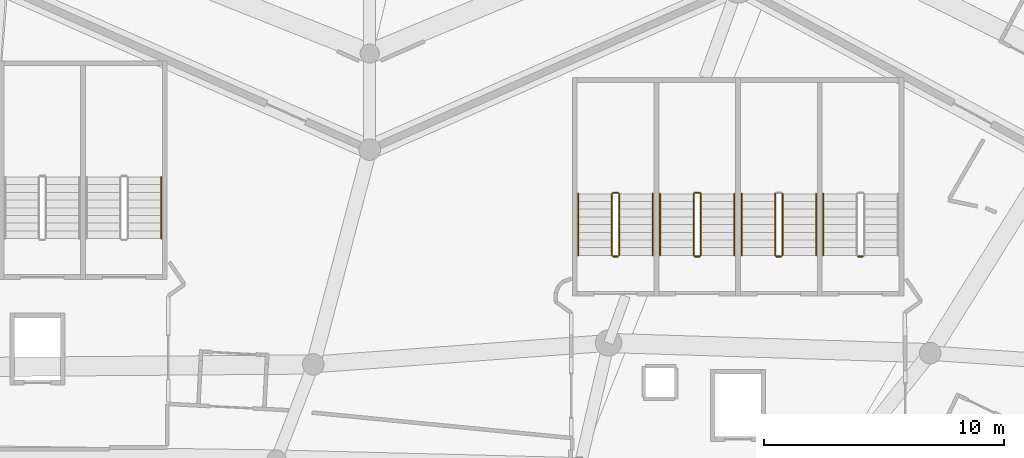
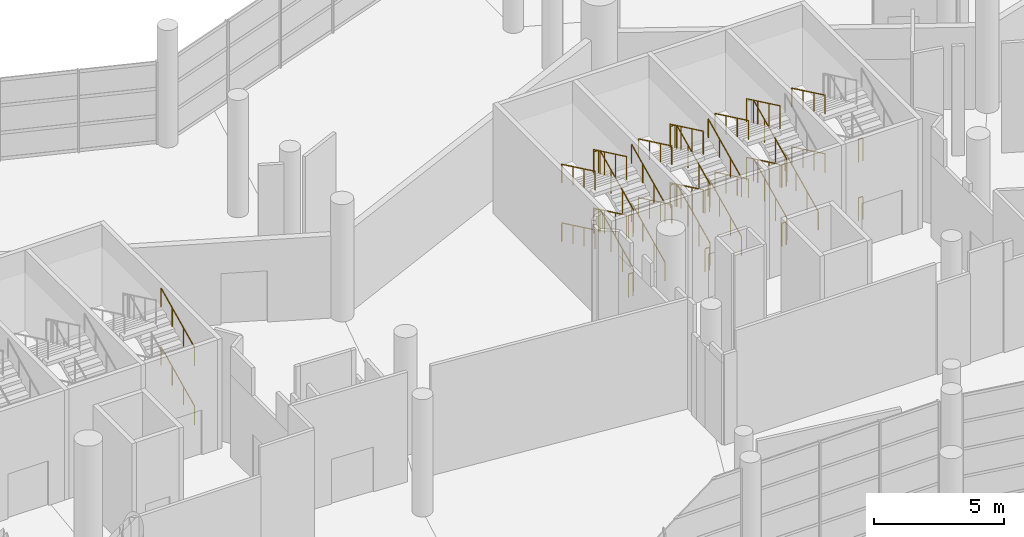
# One storey, part 266 of 271: 39 railings.
"""IFC4 building model written with IfcOpenShell, lengths in metres."""

from ifc_helpers import new_model, si_unit, direction, frame, origin, origin_2d, place, context, subcontext, project, spatial, circle, extrude, material, type_object, element, save


model = new_model("IFC4")

# Units and contexts
model_context = context("Model", 3, precision=1e-05, world=origin(), true_north=direction((0.0, 1.0)))
body_context = subcontext(model_context, "Body", "Model", "MODEL_VIEW")
ifc_project = project(units=[si_unit("LENGTHUNIT", "METRE"), si_unit("AREAUNIT", "SQUARE_METRE"), si_unit("VOLUMEUNIT", "CUBIC_METRE"), si_unit("PLANEANGLEUNIT", "RADIAN"), si_unit("MASSUNIT", "GRAM", prefix="KILO")], contexts=[model_context])

# Site, building, storey
site_placement = place(None, origin())
site = spatial("IfcSite", under=ifc_project, at=site_placement, CompositionType="ELEMENT")
building_placement = place(site_placement, origin())
building = spatial("IfcBuilding", under=site, at=building_placement, Name="Meseta Stadium", CompositionType="ELEMENT")
storey_placement = place(building_placement, frame((0.0, 0.0, 6.5)))
storey = spatial("IfcBuildingStorey", under=building, at=storey_placement, Name="L01", CompositionType="ELEMENT", Elevation=6.5)

# Railings
ifc_material_1 = material(Name="Steel S355", Category="steel")
railing_type_1 = type_object("IfcRailingType", Name="Stair guard 1100", PredefinedType="GUARDRAIL", material=ifc_material_1)
for number, where, name in (
    (1, (43.533447265625, 94.14990234375, 2.75), "ST33 L01 guard 4"),
    (2, (43.533447265625, 94.14990234375, 0.0), "ST33 L01 guard 8"),
):
    element("IfcRailing", number, at=place(storey_placement, frame(where)), inside=storey, type_object=railing_type_1, Name=name, PredefinedType="GUARDRAIL", context=body_context, shape_type="SweptSolid", body=[
        extrude(circle(Radius=0.02392578125, at=origin_2d()), frame((0.0, 0.0, 1.076171875), z_axis=(-1.0, 0.0, 0.0), x_axis=(0.0, -1.0, 0.0)), (0.0, 0.0, 1.0), 0.2001953125),
        extrude(circle(Radius=0.02099609375, at=origin_2d()), origin(), (0.0, 0.0, 1.0), 1.052001953125),
        extrude(circle(Radius=0.02099609375, at=origin_2d()), frame((-0.2001953125, 0.0, 0.0)), (0.0, 0.0, 1.0), 1.052001953125),
    ])
railing_1_placement = place(storey_placement, frame((40.183349609375, 94.199951171875, 0.15283203125)))
element("IfcRailing", 3, at=railing_1_placement, inside=storey, type_object=railing_type_1, Name="ST34 L01 guard 1", PredefinedType="GUARDRAIL", context=body_context, shape_type="SweptSolid", body=[
    extrude(circle(Radius=0.02392578125, at=origin_2d()), frame((0.0, 0.0, 1.076171875), z_axis=(0.0, 0.902436934422, 0.430821981091), x_axis=(-1.0, 0.0, 0.0)), (0.0, 0.0, 1.0), 2.8369140625),
    extrude(circle(Radius=0.02099609375, at=origin_2d()), origin(), (0.0, 0.0, 1.0), 1.052001953125),
    extrude(circle(Radius=0.02099609375, at=origin_2d()), frame((0.0, 0.853271484375, 0.407470703125)), (0.0, 0.0, 1.0), 1.052001953125),
    extrude(circle(Radius=0.02099609375, at=origin_2d()), frame((0.0, 1.706787109375, 0.814697265625)), (0.0, 0.0, 1.0), 1.052001953125),
    extrude(circle(Radius=0.02099609375, at=origin_2d()), frame((0.0, 2.56005859375, 1.22216796875)), (0.0, 0.0, 1.0), 1.052001953125),
])
railing_2_placement = place(storey_placement, frame((39.88330078125, 96.760009765625, 1.52783203125)))
element("IfcRailing", 4, at=railing_2_placement, inside=storey, type_object=railing_type_1, Name="ST34 L01 guard 3", PredefinedType="GUARDRAIL", context=body_context, shape_type="SweptSolid", body=[
    extrude(circle(Radius=0.02392578125, at=origin_2d()), frame((0.0, 0.0, 1.076171875), z_axis=(0.0, -0.902436934422, 0.430821981091), x_axis=(1.0, 0.0, 0.0)), (0.0, 0.0, 1.0), 2.8369140625),
    extrude(circle(Radius=0.02099609375, at=origin_2d()), origin(), (0.0, 0.0, 1.0), 1.052001953125),
    extrude(circle(Radius=0.02099609375, at=origin_2d()), frame((0.0, -0.853271484375, 0.407470703125)), (0.0, 0.0, 1.0), 1.052001953125),
    extrude(circle(Radius=0.02099609375, at=origin_2d()), frame((0.0, -1.706787109375, 0.814697265625)), (0.0, 0.0, 1.0), 1.052001953125),
    extrude(circle(Radius=0.02099609375, at=origin_2d()), frame((0.0, -2.56005859375, 1.22216796875)), (0.0, 0.0, 1.0), 1.052001953125),
])
railing_3_placement = place(storey_placement, frame((40.13330078125, 94.14990234375, 2.75)))
element("IfcRailing", 5, at=railing_3_placement, inside=storey, type_object=railing_type_1, Name="ST34 L01 guard 4", PredefinedType="GUARDRAIL", context=body_context, shape_type="SweptSolid", body=[
    extrude(circle(Radius=0.02392578125, at=origin_2d()), frame((0.0, 0.0, 1.076171875), z_axis=(-1.0, 0.0, 0.0), x_axis=(0.0, -1.0, 0.0)), (0.0, 0.0, 1.0), 0.199951171875),
    extrude(circle(Radius=0.02099609375, at=origin_2d()), origin(), (0.0, 0.0, 1.0), 1.052001953125),
    extrude(circle(Radius=0.02099609375, at=origin_2d()), frame((-0.199951171875, 0.0, 0.0)), (0.0, 0.0, 1.0), 1.052001953125),
])
railing_4_placement = place(storey_placement, frame((40.183349609375, 94.199951171875, 2.90283203125)))
element("IfcRailing", 6, at=railing_4_placement, inside=storey, type_object=railing_type_1, Name="ST34 L01 guard 5", PredefinedType="GUARDRAIL", context=body_context, shape_type="SweptSolid", body=[
    extrude(circle(Radius=0.02392578125, at=origin_2d()), frame((0.0, 0.0, 1.076171875), z_axis=(0.0, 0.902436934422, 0.430821981091), x_axis=(-1.0, 0.0, 0.0)), (0.0, 0.0, 1.0), 2.8369140625),
    extrude(circle(Radius=0.02099609375, at=origin_2d()), origin(), (0.0, 0.0, 1.0), 1.052001953125),
    extrude(circle(Radius=0.02099609375, at=origin_2d()), frame((0.0, 0.853271484375, 0.407470703125)), (0.0, 0.0, 1.0), 1.052001953125),
    extrude(circle(Radius=0.02099609375, at=origin_2d()), frame((0.0, 1.706787109375, 0.814697265625)), (0.0, 0.0, 1.0), 1.052001953125),
    extrude(circle(Radius=0.02099609375, at=origin_2d()), frame((0.0, 2.56005859375, 1.22216796875)), (0.0, 0.0, 1.0), 1.052001953125),
])
railing_5_placement = place(storey_placement, frame((39.88330078125, 96.760009765625, 4.27783203125)))
element("IfcRailing", 7, at=railing_5_placement, inside=storey, type_object=railing_type_1, Name="ST34 L01 guard 7", PredefinedType="GUARDRAIL", context=body_context, shape_type="SweptSolid", body=[
    extrude(circle(Radius=0.02392578125, at=origin_2d()), frame((0.0, 0.0, 1.076171875), z_axis=(0.0, -0.902436934422, 0.430821981091), x_axis=(1.0, 0.0, 0.0)), (0.0, 0.0, 1.0), 2.8369140625),
    extrude(circle(Radius=0.02099609375, at=origin_2d()), origin(), (0.0, 0.0, 1.0), 1.052001953125),
    extrude(circle(Radius=0.02099609375, at=origin_2d()), frame((0.0, -0.853271484375, 0.407470703125)), (0.0, 0.0, 1.0), 1.052001953125),
    extrude(circle(Radius=0.02099609375, at=origin_2d()), frame((0.0, -1.706787109375, 0.814697265625)), (0.0, 0.0, 1.0), 1.052001953125),
    extrude(circle(Radius=0.02099609375, at=origin_2d()), frame((0.0, -2.56005859375, 1.22216796875)), (0.0, 0.0, 1.0), 1.052001953125),
])
railing_6_placement = place(storey_placement, frame((40.13330078125, 94.14990234375, 0.0)))
element("IfcRailing", 8, at=railing_6_placement, inside=storey, type_object=railing_type_1, Name="ST34 L01 guard 8", PredefinedType="GUARDRAIL", context=body_context, shape_type="SweptSolid", body=[
    extrude(circle(Radius=0.02392578125, at=origin_2d()), frame((0.0, 0.0, 1.076171875), z_axis=(-1.0, 0.0, 0.0), x_axis=(0.0, -1.0, 0.0)), (0.0, 0.0, 1.0), 0.199951171875),
    extrude(circle(Radius=0.02099609375, at=origin_2d()), origin(), (0.0, 0.0, 1.0), 1.052001953125),
    extrude(circle(Radius=0.02099609375, at=origin_2d()), frame((-0.199951171875, 0.0, 0.0)), (0.0, 0.0, 1.0), 1.052001953125),
])
railing_7_placement = place(storey_placement, frame((36.783447265625, 94.199951171875, 0.15283203125)))
element("IfcRailing", 9, at=railing_7_placement, inside=storey, type_object=railing_type_1, Name="ST35 L01 guard 1", PredefinedType="GUARDRAIL", context=body_context, shape_type="SweptSolid", body=[
    extrude(circle(Radius=0.02392578125, at=origin_2d()), frame((0.0, 0.0, 1.076171875), z_axis=(0.0, 0.902436934422, 0.430821981091), x_axis=(-1.0, 0.0, 0.0)), (0.0, 0.0, 1.0), 2.8369140625),
    extrude(circle(Radius=0.02099609375, at=origin_2d()), origin(), (0.0, 0.0, 1.0), 1.052001953125),
    extrude(circle(Radius=0.02099609375, at=origin_2d()), frame((0.0, 0.853271484375, 0.407470703125)), (0.0, 0.0, 1.0), 1.052001953125),
    extrude(circle(Radius=0.02099609375, at=origin_2d()), frame((0.0, 1.706787109375, 0.814697265625)), (0.0, 0.0, 1.0), 1.052001953125),
    extrude(circle(Radius=0.02099609375, at=origin_2d()), frame((0.0, 2.56005859375, 1.22216796875)), (0.0, 0.0, 1.0), 1.052001953125),
])
railing_8_placement = place(storey_placement, frame((36.7333984375, 96.81005859375, 1.375)))
element("IfcRailing", 10, at=railing_8_placement, inside=storey, type_object=railing_type_1, Name="ST35 L01 guard 2", PredefinedType="GUARDRAIL", context=body_context, shape_type="SweptSolid", body=[
    extrude(circle(Radius=0.02392578125, at=origin_2d()), frame((0.0, 0.0, 1.076171875), z_axis=(-1.0, 0.0, 0.0), x_axis=(0.0, -1.0, 0.0)), (0.0, 0.0, 1.0), 0.199951171875),
    extrude(circle(Radius=0.02099609375, at=origin_2d()), origin(), (0.0, 0.0, 1.0), 1.052001953125),
    extrude(circle(Radius=0.02099609375, at=origin_2d()), frame((-0.199951171875, 0.0, 0.0)), (0.0, 0.0, 1.0), 1.052001953125),
])
railing_9_placement = place(storey_placement, frame((36.4833984375, 96.760009765625, 1.52783203125)))
element("IfcRailing", 11, at=railing_9_placement, inside=storey, type_object=railing_type_1, Name="ST35 L01 guard 3", PredefinedType="GUARDRAIL", context=body_context, shape_type="SweptSolid", body=[
    extrude(circle(Radius=0.02392578125, at=origin_2d()), frame((0.0, 0.0, 1.076171875), z_axis=(0.0, -0.902436934422, 0.430821981091), x_axis=(1.0, 0.0, 0.0)), (0.0, 0.0, 1.0), 2.8369140625),
    extrude(circle(Radius=0.02099609375, at=origin_2d()), origin(), (0.0, 0.0, 1.0), 1.052001953125),
    extrude(circle(Radius=0.02099609375, at=origin_2d()), frame((0.0, -0.853271484375, 0.407470703125)), (0.0, 0.0, 1.0), 1.052001953125),
    extrude(circle(Radius=0.02099609375, at=origin_2d()), frame((0.0, -1.706787109375, 0.814697265625)), (0.0, 0.0, 1.0), 1.052001953125),
    extrude(circle(Radius=0.02099609375, at=origin_2d()), frame((0.0, -2.56005859375, 1.22216796875)), (0.0, 0.0, 1.0), 1.052001953125),
])
railing_10_placement = place(storey_placement, frame((36.7333984375, 94.14990234375, 2.75)))
element("IfcRailing", 12, at=railing_10_placement, inside=storey, type_object=railing_type_1, Name="ST35 L01 guard 4", PredefinedType="GUARDRAIL", context=body_context, shape_type="SweptSolid", body=[
    extrude(circle(Radius=0.02392578125, at=origin_2d()), frame((0.0, 0.0, 1.076171875), z_axis=(-1.0, 0.0, 0.0), x_axis=(0.0, -1.0, 0.0)), (0.0, 0.0, 1.0), 0.199951171875),
    extrude(circle(Radius=0.02099609375, at=origin_2d()), origin(), (0.0, 0.0, 1.0), 1.052001953125),
    extrude(circle(Radius=0.02099609375, at=origin_2d()), frame((-0.199951171875, 0.0, 0.0)), (0.0, 0.0, 1.0), 1.052001953125),
])
railing_11_placement = place(storey_placement, frame((36.783447265625, 94.199951171875, 2.90283203125)))
element("IfcRailing", 13, at=railing_11_placement, inside=storey, type_object=railing_type_1, Name="ST35 L01 guard 5", PredefinedType="GUARDRAIL", context=body_context, shape_type="SweptSolid", body=[
    extrude(circle(Radius=0.02392578125, at=origin_2d()), frame((0.0, 0.0, 1.076171875), z_axis=(0.0, 0.902436934422, 0.430821981091), x_axis=(-1.0, 0.0, 0.0)), (0.0, 0.0, 1.0), 2.8369140625),
    extrude(circle(Radius=0.02099609375, at=origin_2d()), origin(), (0.0, 0.0, 1.0), 1.052001953125),
    extrude(circle(Radius=0.02099609375, at=origin_2d()), frame((0.0, 0.853271484375, 0.407470703125)), (0.0, 0.0, 1.0), 1.052001953125),
    extrude(circle(Radius=0.02099609375, at=origin_2d()), frame((0.0, 1.706787109375, 0.814697265625)), (0.0, 0.0, 1.0), 1.052001953125),
    extrude(circle(Radius=0.02099609375, at=origin_2d()), frame((0.0, 2.56005859375, 1.22216796875)), (0.0, 0.0, 1.0), 1.052001953125),
])
railing_12_placement = place(storey_placement, frame((36.7333984375, 96.81005859375, 4.125)))
element("IfcRailing", 14, at=railing_12_placement, inside=storey, type_object=railing_type_1, Name="ST35 L01 guard 6", PredefinedType="GUARDRAIL", context=body_context, shape_type="SweptSolid", body=[
    extrude(circle(Radius=0.02392578125, at=origin_2d()), frame((0.0, 0.0, 1.076171875), z_axis=(-1.0, 0.0, 0.0), x_axis=(0.0, -1.0, 0.0)), (0.0, 0.0, 1.0), 0.199951171875),
    extrude(circle(Radius=0.02099609375, at=origin_2d()), origin(), (0.0, 0.0, 1.0), 1.052001953125),
    extrude(circle(Radius=0.02099609375, at=origin_2d()), frame((-0.199951171875, 0.0, 0.0)), (0.0, 0.0, 1.0), 1.052001953125),
])
railing_13_placement = place(storey_placement, frame((36.4833984375, 96.760009765625, 4.27783203125)))
element("IfcRailing", 15, at=railing_13_placement, inside=storey, type_object=railing_type_1, Name="ST35 L01 guard 7", PredefinedType="GUARDRAIL", context=body_context, shape_type="SweptSolid", body=[
    extrude(circle(Radius=0.02392578125, at=origin_2d()), frame((0.0, 0.0, 1.076171875), z_axis=(0.0, -0.902436934422, 0.430821981091), x_axis=(1.0, 0.0, 0.0)), (0.0, 0.0, 1.0), 2.8369140625),
    extrude(circle(Radius=0.02099609375, at=origin_2d()), origin(), (0.0, 0.0, 1.0), 1.052001953125),
    extrude(circle(Radius=0.02099609375, at=origin_2d()), frame((0.0, -0.853271484375, 0.407470703125)), (0.0, 0.0, 1.0), 1.052001953125),
    extrude(circle(Radius=0.02099609375, at=origin_2d()), frame((0.0, -1.706787109375, 0.814697265625)), (0.0, 0.0, 1.0), 1.052001953125),
    extrude(circle(Radius=0.02099609375, at=origin_2d()), frame((0.0, -2.56005859375, 1.22216796875)), (0.0, 0.0, 1.0), 1.052001953125),
])
railing_14_placement = place(storey_placement, frame((36.7333984375, 94.14990234375, 0.0)))
element("IfcRailing", 16, at=railing_14_placement, inside=storey, type_object=railing_type_1, Name="ST35 L01 guard 8", PredefinedType="GUARDRAIL", context=body_context, shape_type="SweptSolid", body=[
    extrude(circle(Radius=0.02392578125, at=origin_2d()), frame((0.0, 0.0, 1.076171875), z_axis=(-1.0, 0.0, 0.0), x_axis=(0.0, -1.0, 0.0)), (0.0, 0.0, 1.0), 0.199951171875),
    extrude(circle(Radius=0.02099609375, at=origin_2d()), origin(), (0.0, 0.0, 1.0), 1.052001953125),
    extrude(circle(Radius=0.02099609375, at=origin_2d()), frame((-0.199951171875, 0.0, 0.0)), (0.0, 0.0, 1.0), 1.052001953125),
])
railing_15_placement = place(storey_placement, frame((33.38330078125, 94.199951171875, 0.15283203125)))
element("IfcRailing", 17, at=railing_15_placement, inside=storey, type_object=railing_type_1, Name="ST36 L01 guard 1", PredefinedType="GUARDRAIL", context=body_context, shape_type="SweptSolid", body=[
    extrude(circle(Radius=0.02392578125, at=origin_2d()), frame((0.0, 0.0, 1.076171875), z_axis=(0.0, 0.902436934422, 0.430821981091), x_axis=(-1.0, 0.0, 0.0)), (0.0, 0.0, 1.0), 2.8369140625),
    extrude(circle(Radius=0.02099609375, at=origin_2d()), origin(), (0.0, 0.0, 1.0), 1.052001953125),
    extrude(circle(Radius=0.02099609375, at=origin_2d()), frame((0.0, 0.853271484375, 0.407470703125)), (0.0, 0.0, 1.0), 1.052001953125),
    extrude(circle(Radius=0.02099609375, at=origin_2d()), frame((0.0, 1.706787109375, 0.814697265625)), (0.0, 0.0, 1.0), 1.052001953125),
    extrude(circle(Radius=0.02099609375, at=origin_2d()), frame((0.0, 2.56005859375, 1.22216796875)), (0.0, 0.0, 1.0), 1.052001953125),
])
railing_16_placement = place(storey_placement, frame((33.333251953125, 96.81005859375, 1.375)))
element("IfcRailing", 18, at=railing_16_placement, inside=storey, type_object=railing_type_1, Name="ST36 L01 guard 2", PredefinedType="GUARDRAIL", context=body_context, shape_type="SweptSolid", body=[
    extrude(circle(Radius=0.02392578125, at=origin_2d()), frame((0.0, 0.0, 1.076171875), z_axis=(-1.0, 0.0, 0.0), x_axis=(0.0, -1.0, 0.0)), (0.0, 0.0, 1.0), 0.199951171875),
    extrude(circle(Radius=0.02099609375, at=origin_2d()), origin(), (0.0, 0.0, 1.0), 1.052001953125),
    extrude(circle(Radius=0.02099609375, at=origin_2d()), frame((-0.199951171875, 0.0, 0.0)), (0.0, 0.0, 1.0), 1.052001953125),
])
railing_17_placement = place(storey_placement, frame((33.083251953125, 96.760009765625, 1.52783203125)))
element("IfcRailing", 19, at=railing_17_placement, inside=storey, type_object=railing_type_1, Name="ST36 L01 guard 3", PredefinedType="GUARDRAIL", context=body_context, shape_type="SweptSolid", body=[
    extrude(circle(Radius=0.02392578125, at=origin_2d()), frame((0.0, 0.0, 1.076171875), z_axis=(0.0, -0.902436934422, 0.430821981091), x_axis=(1.0, 0.0, 0.0)), (0.0, 0.0, 1.0), 2.8369140625),
    extrude(circle(Radius=0.02099609375, at=origin_2d()), origin(), (0.0, 0.0, 1.0), 1.052001953125),
    extrude(circle(Radius=0.02099609375, at=origin_2d()), frame((0.0, -0.853271484375, 0.407470703125)), (0.0, 0.0, 1.0), 1.052001953125),
    extrude(circle(Radius=0.02099609375, at=origin_2d()), frame((0.0, -1.706787109375, 0.814697265625)), (0.0, 0.0, 1.0), 1.052001953125),
    extrude(circle(Radius=0.02099609375, at=origin_2d()), frame((0.0, -2.56005859375, 1.22216796875)), (0.0, 0.0, 1.0), 1.052001953125),
])
railing_18_placement = place(storey_placement, frame((33.333251953125, 94.14990234375, 2.75)))
element("IfcRailing", 20, at=railing_18_placement, inside=storey, type_object=railing_type_1, Name="ST36 L01 guard 4", PredefinedType="GUARDRAIL", context=body_context, shape_type="SweptSolid", body=[
    extrude(circle(Radius=0.02392578125, at=origin_2d()), frame((0.0, 0.0, 1.076171875), z_axis=(-1.0, 0.0, 0.0), x_axis=(0.0, -1.0, 0.0)), (0.0, 0.0, 1.0), 0.199951171875),
    extrude(circle(Radius=0.02099609375, at=origin_2d()), origin(), (0.0, 0.0, 1.0), 1.052001953125),
    extrude(circle(Radius=0.02099609375, at=origin_2d()), frame((-0.199951171875, 0.0, 0.0)), (0.0, 0.0, 1.0), 1.052001953125),
])
railing_19_placement = place(storey_placement, frame((33.38330078125, 94.199951171875, 2.90283203125)))
element("IfcRailing", 21, at=railing_19_placement, inside=storey, type_object=railing_type_1, Name="ST36 L01 guard 5", PredefinedType="GUARDRAIL", context=body_context, shape_type="SweptSolid", body=[
    extrude(circle(Radius=0.02392578125, at=origin_2d()), frame((0.0, 0.0, 1.076171875), z_axis=(0.0, 0.902436934422, 0.430821981091), x_axis=(-1.0, 0.0, 0.0)), (0.0, 0.0, 1.0), 2.8369140625),
    extrude(circle(Radius=0.02099609375, at=origin_2d()), origin(), (0.0, 0.0, 1.0), 1.052001953125),
    extrude(circle(Radius=0.02099609375, at=origin_2d()), frame((0.0, 0.853271484375, 0.407470703125)), (0.0, 0.0, 1.0), 1.052001953125),
    extrude(circle(Radius=0.02099609375, at=origin_2d()), frame((0.0, 1.706787109375, 0.814697265625)), (0.0, 0.0, 1.0), 1.052001953125),
    extrude(circle(Radius=0.02099609375, at=origin_2d()), frame((0.0, 2.56005859375, 1.22216796875)), (0.0, 0.0, 1.0), 1.052001953125),
])
railing_20_placement = place(storey_placement, frame((33.333251953125, 96.81005859375, 4.125)))
element("IfcRailing", 22, at=railing_20_placement, inside=storey, type_object=railing_type_1, Name="ST36 L01 guard 6", PredefinedType="GUARDRAIL", context=body_context, shape_type="SweptSolid", body=[
    extrude(circle(Radius=0.02392578125, at=origin_2d()), frame((0.0, 0.0, 1.076171875), z_axis=(-1.0, 0.0, 0.0), x_axis=(0.0, -1.0, 0.0)), (0.0, 0.0, 1.0), 0.199951171875),
    extrude(circle(Radius=0.02099609375, at=origin_2d()), origin(), (0.0, 0.0, 1.0), 1.052001953125),
    extrude(circle(Radius=0.02099609375, at=origin_2d()), frame((-0.199951171875, 0.0, 0.0)), (0.0, 0.0, 1.0), 1.052001953125),
])
railing_21_placement = place(storey_placement, frame((33.083251953125, 96.760009765625, 4.27783203125)))
element("IfcRailing", 23, at=railing_21_placement, inside=storey, type_object=railing_type_1, Name="ST36 L01 guard 7", PredefinedType="GUARDRAIL", context=body_context, shape_type="SweptSolid", body=[
    extrude(circle(Radius=0.02392578125, at=origin_2d()), frame((0.0, 0.0, 1.076171875), z_axis=(0.0, -0.902436934422, 0.430821981091), x_axis=(1.0, 0.0, 0.0)), (0.0, 0.0, 1.0), 2.8369140625),
    extrude(circle(Radius=0.02099609375, at=origin_2d()), origin(), (0.0, 0.0, 1.0), 1.052001953125),
    extrude(circle(Radius=0.02099609375, at=origin_2d()), frame((0.0, -0.853271484375, 0.407470703125)), (0.0, 0.0, 1.0), 1.052001953125),
    extrude(circle(Radius=0.02099609375, at=origin_2d()), frame((0.0, -1.706787109375, 0.814697265625)), (0.0, 0.0, 1.0), 1.052001953125),
    extrude(circle(Radius=0.02099609375, at=origin_2d()), frame((0.0, -2.56005859375, 1.22216796875)), (0.0, 0.0, 1.0), 1.052001953125),
])
railing_22_placement = place(storey_placement, frame((33.333251953125, 94.14990234375, 0.0)))
element("IfcRailing", 24, at=railing_22_placement, inside=storey, type_object=railing_type_1, Name="ST36 L01 guard 8", PredefinedType="GUARDRAIL", context=body_context, shape_type="SweptSolid", body=[
    extrude(circle(Radius=0.02392578125, at=origin_2d()), frame((0.0, 0.0, 1.076171875), z_axis=(-1.0, 0.0, 0.0), x_axis=(0.0, -1.0, 0.0)), (0.0, 0.0, 1.0), 0.199951171875),
    extrude(circle(Radius=0.02099609375, at=origin_2d()), origin(), (0.0, 0.0, 1.0), 1.052001953125),
    extrude(circle(Radius=0.02099609375, at=origin_2d()), frame((-0.199951171875, 0.0, 0.0)), (0.0, 0.0, 1.0), 1.052001953125),
])
ifc_material_2 = material(Name="Steel S355", Category="steel")
railing_type_2 = type_object("IfcRailingType", Name="Stair handrail 900", PredefinedType="HANDRAIL", material=ifc_material_2)
for number, where, name in (
    (25, (41.88330078125, 96.760009765625, 1.52783203125), "ST33 L01 handrail 2"),
    (26, (41.88330078125, 96.760009765625, 4.27783203125), "ST33 L01 handrail 4"),
):
    element("IfcRailing", number, at=place(storey_placement, frame(where)), inside=storey, type_object=railing_type_2, Name=name, PredefinedType="HANDRAIL", context=body_context, shape_type="SweptSolid", body=[
        extrude(circle(Radius=0.02392578125, at=origin_2d()), frame((0.0, 0.0, 0.8759765625), z_axis=(0.0, -0.902436934422, 0.430821981091), x_axis=(1.0, 0.0, 0.0)), (0.0, 0.0, 1.0), 2.8369140625),
        extrude(circle(Radius=0.02099609375, at=origin_2d()), origin(), (0.0, 0.0, 1.0), 0.851806640625),
        extrude(circle(Radius=0.02099609375, at=origin_2d()), frame((0.0, -0.853271484375, 0.407470703125)), (0.0, 0.0, 1.0), 0.851806640625),
        extrude(circle(Radius=0.02099609375, at=origin_2d()), frame((0.0, -1.706787109375, 0.814697265625)), (0.0, 0.0, 1.0), 0.851806640625),
        extrude(circle(Radius=0.02099609375, at=origin_2d()), frame((0.0, -2.56005859375, 1.22216796875)), (0.0, 0.0, 1.0), 0.851806640625),
    ])
railing_23_placement = place(storey_placement, frame((41.583251953125, 94.199951171875, 0.15283203125)))
element("IfcRailing", 27, at=railing_23_placement, inside=storey, type_object=railing_type_2, Name="ST34 L01 handrail 1", PredefinedType="HANDRAIL", context=body_context, shape_type="SweptSolid", body=[
    extrude(circle(Radius=0.02392578125, at=origin_2d()), frame((0.0, 0.0, 0.8759765625), z_axis=(0.0, 0.902436934422, 0.430821981091), x_axis=(-1.0, 0.0, 0.0)), (0.0, 0.0, 1.0), 2.8369140625),
    extrude(circle(Radius=0.02099609375, at=origin_2d()), origin(), (0.0, 0.0, 1.0), 0.851806640625),
    extrude(circle(Radius=0.02099609375, at=origin_2d()), frame((0.0, 0.853271484375, 0.407470703125)), (0.0, 0.0, 1.0), 0.851806640625),
    extrude(circle(Radius=0.02099609375, at=origin_2d()), frame((0.0, 1.706787109375, 0.814697265625)), (0.0, 0.0, 1.0), 0.851806640625),
    extrude(circle(Radius=0.02099609375, at=origin_2d()), frame((0.0, 2.56005859375, 1.22216796875)), (0.0, 0.0, 1.0), 0.851806640625),
])
for number, where, name in (
    (28, (38.4833984375, 96.760009765625, 1.52783203125), "ST34 L01 handrail 2"),
    (29, (38.4833984375, 96.760009765625, 4.27783203125), "ST34 L01 handrail 4"),
):
    element("IfcRailing", number, at=place(storey_placement, frame(where)), inside=storey, type_object=railing_type_2, Name=name, PredefinedType="HANDRAIL", context=body_context, shape_type="SweptSolid", body=[
        extrude(circle(Radius=0.02392578125, at=origin_2d()), frame((0.0, 0.0, 0.8759765625), z_axis=(0.0, -0.902436934422, 0.430821981091), x_axis=(1.0, 0.0, 0.0)), (0.0, 0.0, 1.0), 2.8369140625),
        extrude(circle(Radius=0.02099609375, at=origin_2d()), origin(), (0.0, 0.0, 1.0), 0.851806640625),
        extrude(circle(Radius=0.02099609375, at=origin_2d()), frame((0.0, -0.853271484375, 0.407470703125)), (0.0, 0.0, 1.0), 0.851806640625),
        extrude(circle(Radius=0.02099609375, at=origin_2d()), frame((0.0, -1.706787109375, 0.814697265625)), (0.0, 0.0, 1.0), 0.851806640625),
        extrude(circle(Radius=0.02099609375, at=origin_2d()), frame((0.0, -2.56005859375, 1.22216796875)), (0.0, 0.0, 1.0), 0.851806640625),
    ])
railing_24_placement = place(storey_placement, frame((38.183349609375, 94.199951171875, 0.15283203125)))
element("IfcRailing", 30, at=railing_24_placement, inside=storey, type_object=railing_type_2, Name="ST35 L01 handrail 1", PredefinedType="HANDRAIL", context=body_context, shape_type="SweptSolid", body=[
    extrude(circle(Radius=0.02392578125, at=origin_2d()), frame((0.0, 0.0, 0.8759765625), z_axis=(0.0, 0.902436934422, 0.430821981091), x_axis=(-1.0, 0.0, 0.0)), (0.0, 0.0, 1.0), 2.8369140625),
    extrude(circle(Radius=0.02099609375, at=origin_2d()), origin(), (0.0, 0.0, 1.0), 0.851806640625),
    extrude(circle(Radius=0.02099609375, at=origin_2d()), frame((0.0, 0.853271484375, 0.407470703125)), (0.0, 0.0, 1.0), 0.851806640625),
    extrude(circle(Radius=0.02099609375, at=origin_2d()), frame((0.0, 1.706787109375, 0.814697265625)), (0.0, 0.0, 1.0), 0.851806640625),
    extrude(circle(Radius=0.02099609375, at=origin_2d()), frame((0.0, 2.56005859375, 1.22216796875)), (0.0, 0.0, 1.0), 0.851806640625),
])
railing_25_placement = place(storey_placement, frame((35.083251953125, 96.760009765625, 1.52783203125)))
element("IfcRailing", 31, at=railing_25_placement, inside=storey, type_object=railing_type_2, Name="ST35 L01 handrail 2", PredefinedType="HANDRAIL", context=body_context, shape_type="SweptSolid", body=[
    extrude(circle(Radius=0.02392578125, at=origin_2d()), frame((0.0, 0.0, 0.8759765625), z_axis=(0.0, -0.902436934422, 0.430821981091), x_axis=(1.0, 0.0, 0.0)), (0.0, 0.0, 1.0), 2.8369140625),
    extrude(circle(Radius=0.02099609375, at=origin_2d()), origin(), (0.0, 0.0, 1.0), 0.851806640625),
    extrude(circle(Radius=0.02099609375, at=origin_2d()), frame((0.0, -0.853271484375, 0.407470703125)), (0.0, 0.0, 1.0), 0.851806640625),
    extrude(circle(Radius=0.02099609375, at=origin_2d()), frame((0.0, -1.706787109375, 0.814697265625)), (0.0, 0.0, 1.0), 0.851806640625),
    extrude(circle(Radius=0.02099609375, at=origin_2d()), frame((0.0, -2.56005859375, 1.22216796875)), (0.0, 0.0, 1.0), 0.851806640625),
])
railing_26_placement = place(storey_placement, frame((38.183349609375, 94.199951171875, 2.90283203125)))
element("IfcRailing", 32, at=railing_26_placement, inside=storey, type_object=railing_type_2, Name="ST35 L01 handrail 3", PredefinedType="HANDRAIL", context=body_context, shape_type="SweptSolid", body=[
    extrude(circle(Radius=0.02392578125, at=origin_2d()), frame((0.0, 0.0, 0.8759765625), z_axis=(0.0, 0.902436934422, 0.430821981091), x_axis=(-1.0, 0.0, 0.0)), (0.0, 0.0, 1.0), 2.8369140625),
    extrude(circle(Radius=0.02099609375, at=origin_2d()), origin(), (0.0, 0.0, 1.0), 0.851806640625),
    extrude(circle(Radius=0.02099609375, at=origin_2d()), frame((0.0, 0.853271484375, 0.407470703125)), (0.0, 0.0, 1.0), 0.851806640625),
    extrude(circle(Radius=0.02099609375, at=origin_2d()), frame((0.0, 1.706787109375, 0.814697265625)), (0.0, 0.0, 1.0), 0.851806640625),
    extrude(circle(Radius=0.02099609375, at=origin_2d()), frame((0.0, 2.56005859375, 1.22216796875)), (0.0, 0.0, 1.0), 0.851806640625),
])
railing_27_placement = place(storey_placement, frame((35.083251953125, 96.760009765625, 4.27783203125)))
element("IfcRailing", 33, at=railing_27_placement, inside=storey, type_object=railing_type_2, Name="ST35 L01 handrail 4", PredefinedType="HANDRAIL", context=body_context, shape_type="SweptSolid", body=[
    extrude(circle(Radius=0.02392578125, at=origin_2d()), frame((0.0, 0.0, 0.8759765625), z_axis=(0.0, -0.902436934422, 0.430821981091), x_axis=(1.0, 0.0, 0.0)), (0.0, 0.0, 1.0), 2.8369140625),
    extrude(circle(Radius=0.02099609375, at=origin_2d()), origin(), (0.0, 0.0, 1.0), 0.851806640625),
    extrude(circle(Radius=0.02099609375, at=origin_2d()), frame((0.0, -0.853271484375, 0.407470703125)), (0.0, 0.0, 1.0), 0.851806640625),
    extrude(circle(Radius=0.02099609375, at=origin_2d()), frame((0.0, -1.706787109375, 0.814697265625)), (0.0, 0.0, 1.0), 0.851806640625),
    extrude(circle(Radius=0.02099609375, at=origin_2d()), frame((0.0, -2.56005859375, 1.22216796875)), (0.0, 0.0, 1.0), 0.851806640625),
])
railing_28_placement = place(storey_placement, frame((34.783447265625, 94.199951171875, 0.15283203125)))
element("IfcRailing", 34, at=railing_28_placement, inside=storey, type_object=railing_type_2, Name="ST36 L01 handrail 1", PredefinedType="HANDRAIL", context=body_context, shape_type="SweptSolid", body=[
    extrude(circle(Radius=0.02392578125, at=origin_2d()), frame((0.0, 0.0, 0.8759765625), z_axis=(0.0, 0.902436934422, 0.430821981091), x_axis=(-1.0, 0.0, 0.0)), (0.0, 0.0, 1.0), 2.8369140625),
    extrude(circle(Radius=0.02099609375, at=origin_2d()), origin(), (0.0, 0.0, 1.0), 0.851806640625),
    extrude(circle(Radius=0.02099609375, at=origin_2d()), frame((0.0, 0.853271484375, 0.407470703125)), (0.0, 0.0, 1.0), 0.851806640625),
    extrude(circle(Radius=0.02099609375, at=origin_2d()), frame((0.0, 1.706787109375, 0.814697265625)), (0.0, 0.0, 1.0), 0.851806640625),
    extrude(circle(Radius=0.02099609375, at=origin_2d()), frame((0.0, 2.56005859375, 1.22216796875)), (0.0, 0.0, 1.0), 0.851806640625),
])
railing_29_placement = place(storey_placement, frame((31.683349609375, 96.760009765625, 1.52783203125)))
element("IfcRailing", 35, at=railing_29_placement, inside=storey, type_object=railing_type_2, Name="ST36 L01 handrail 2", PredefinedType="HANDRAIL", context=body_context, shape_type="SweptSolid", body=[
    extrude(circle(Radius=0.02392578125, at=origin_2d()), frame((0.0, 0.0, 0.8759765625), z_axis=(0.0, -0.902436934422, 0.430821981091), x_axis=(1.0, 0.0, 0.0)), (0.0, 0.0, 1.0), 2.8369140625),
    extrude(circle(Radius=0.02099609375, at=origin_2d()), origin(), (0.0, 0.0, 1.0), 0.851806640625),
    extrude(circle(Radius=0.02099609375, at=origin_2d()), frame((0.0, -0.853271484375, 0.407470703125)), (0.0, 0.0, 1.0), 0.851806640625),
    extrude(circle(Radius=0.02099609375, at=origin_2d()), frame((0.0, -1.706787109375, 0.814697265625)), (0.0, 0.0, 1.0), 0.851806640625),
    extrude(circle(Radius=0.02099609375, at=origin_2d()), frame((0.0, -2.56005859375, 1.22216796875)), (0.0, 0.0, 1.0), 0.851806640625),
])
railing_30_placement = place(storey_placement, frame((34.783447265625, 94.199951171875, 2.90283203125)))
element("IfcRailing", 36, at=railing_30_placement, inside=storey, type_object=railing_type_2, Name="ST36 L01 handrail 3", PredefinedType="HANDRAIL", context=body_context, shape_type="SweptSolid", body=[
    extrude(circle(Radius=0.02392578125, at=origin_2d()), frame((0.0, 0.0, 0.8759765625), z_axis=(0.0, 0.902436934422, 0.430821981091), x_axis=(-1.0, 0.0, 0.0)), (0.0, 0.0, 1.0), 2.8369140625),
    extrude(circle(Radius=0.02099609375, at=origin_2d()), origin(), (0.0, 0.0, 1.0), 0.851806640625),
    extrude(circle(Radius=0.02099609375, at=origin_2d()), frame((0.0, 0.853271484375, 0.407470703125)), (0.0, 0.0, 1.0), 0.851806640625),
    extrude(circle(Radius=0.02099609375, at=origin_2d()), frame((0.0, 1.706787109375, 0.814697265625)), (0.0, 0.0, 1.0), 0.851806640625),
    extrude(circle(Radius=0.02099609375, at=origin_2d()), frame((0.0, 2.56005859375, 1.22216796875)), (0.0, 0.0, 1.0), 0.851806640625),
])
railing_31_placement = place(storey_placement, frame((31.683349609375, 96.760009765625, 4.27783203125)))
element("IfcRailing", 37, at=railing_31_placement, inside=storey, type_object=railing_type_2, Name="ST36 L01 handrail 4", PredefinedType="HANDRAIL", context=body_context, shape_type="SweptSolid", body=[
    extrude(circle(Radius=0.02392578125, at=origin_2d()), frame((0.0, 0.0, 0.8759765625), z_axis=(0.0, -0.902436934422, 0.430821981091), x_axis=(1.0, 0.0, 0.0)), (0.0, 0.0, 1.0), 2.8369140625),
    extrude(circle(Radius=0.02099609375, at=origin_2d()), origin(), (0.0, 0.0, 1.0), 0.851806640625),
    extrude(circle(Radius=0.02099609375, at=origin_2d()), frame((0.0, -0.853271484375, 0.407470703125)), (0.0, 0.0, 1.0), 0.851806640625),
    extrude(circle(Radius=0.02099609375, at=origin_2d()), frame((0.0, -1.706787109375, 0.814697265625)), (0.0, 0.0, 1.0), 0.851806640625),
    extrude(circle(Radius=0.02099609375, at=origin_2d()), frame((0.0, -2.56005859375, 1.22216796875)), (0.0, 0.0, 1.0), 0.851806640625),
])
for number, where, name in (
    (38, (14.316650390625, 94.89990234375, 0.15283203125), "ST37 L01 handrail 1"),
    (39, (14.316650390625, 94.89990234375, 2.90283203125), "ST37 L01 handrail 3"),
):
    element("IfcRailing", number, at=place(storey_placement, frame(where)), inside=storey, type_object=railing_type_2, Name=name, PredefinedType="HANDRAIL", context=body_context, shape_type="SweptSolid", body=[
        extrude(circle(Radius=0.02392578125, at=origin_2d()), frame((0.0, 0.0, 0.8759765625), z_axis=(0.0, 0.902436934422, 0.430821981091), x_axis=(-1.0, 0.0, 0.0)), (0.0, 0.0, 1.0), 2.8369140625),
        extrude(circle(Radius=0.02099609375, at=origin_2d()), origin(), (0.0, 0.0, 1.0), 0.851806640625),
        extrude(circle(Radius=0.02099609375, at=origin_2d()), frame((0.0, 0.853271484375, 0.407470703125)), (0.0, 0.0, 1.0), 0.851806640625),
        extrude(circle(Radius=0.02099609375, at=origin_2d()), frame((0.0, 1.706787109375, 0.814697265625)), (0.0, 0.0, 1.0), 0.851806640625),
        extrude(circle(Radius=0.02099609375, at=origin_2d()), frame((0.0, 2.56005859375, 1.22216796875)), (0.0, 0.0, 1.0), 0.851806640625),
    ])

save(model, "model.ifc")
